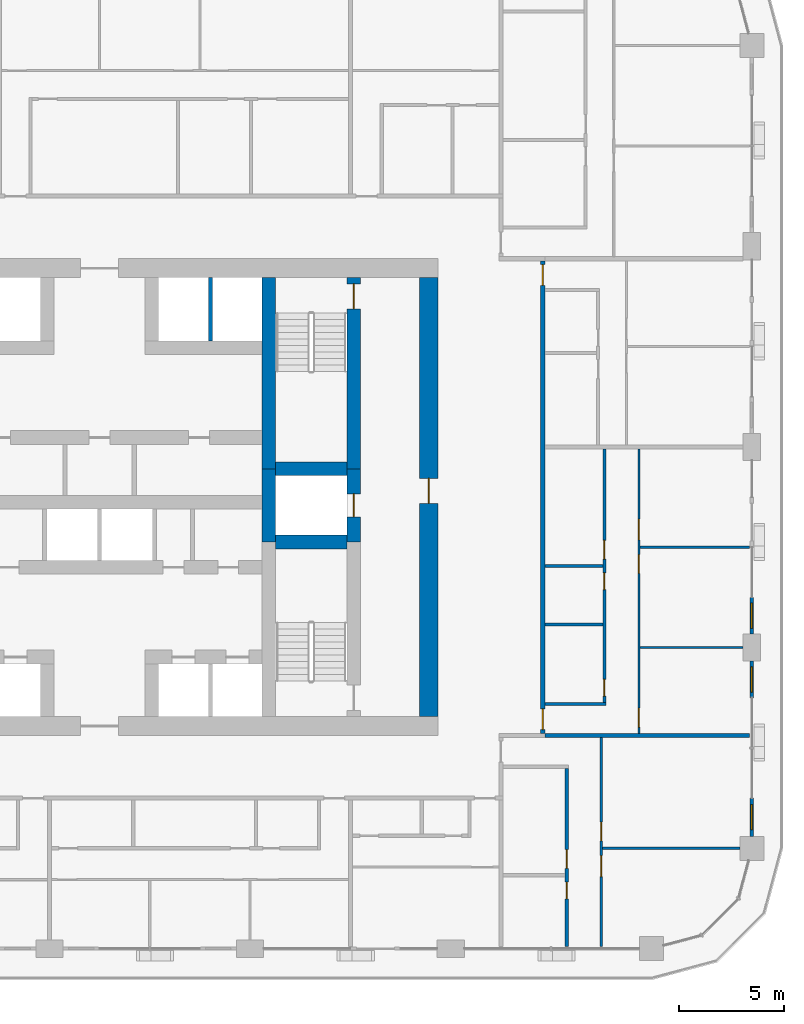
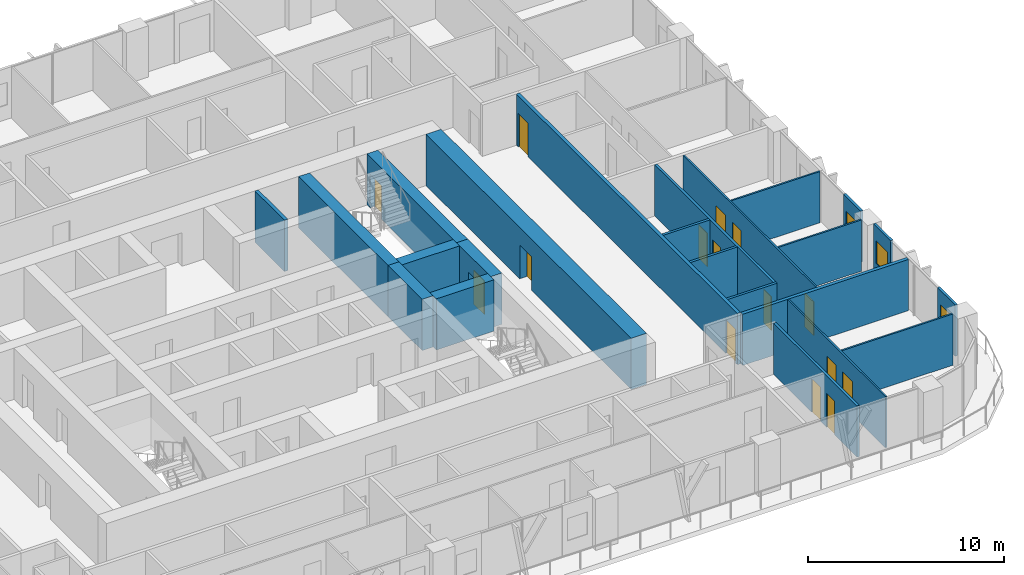
# One storey, part 12 of 21: 23 walls, 15 doors, 3 windows, 18 openings.
"""IFC4 building model written with IfcOpenShell, lengths in metres."""

import ifcopenshell
import ifcopenshell.guid

model = None  # the IFC model being written
_history = None  # IfcOwnerHistory: only IFC2X3 demands one
_inside = {}  # id of a spatial element -> (the spatial element, [elements in it])
_under = {}  # id of a project, library or spatial element -> (it, [spatial elements below it])
_declared = {}  # id of a project -> (the project, [libraries it declares])
_typed = {}  # id of a type object -> (the type object, [elements of that type])
_made_of = {}  # id of a material, layer set ... -> (it, [elements and type objects made of it])


def new_model(schema):
    """Start an empty IFC model of exactly this schema.

    Asked for "IFC4X3", IfcOpenShell would pick the latest addendum, in which some entities
    have other attributes; the version numbers below select the first issue.
    IFC2X3 requires an IfcOwnerHistory on every rooted entity: one is made here for all.
    """
    global model, _history
    if schema == "IFC4X3":
        model = ifcopenshell.file(schema_version=(4, 3, 0, 0))
    else:
        model = ifcopenshell.file(schema=schema)
    _inside.clear()
    _under.clear()
    _declared.clear()
    _typed.clear()
    _made_of.clear()
    _history = None
    if model.schema == "IFC2X3":
        org = make("IfcOrganization", Name="unknown")
        user = make(
            "IfcPersonAndOrganization",
            ThePerson=make("IfcPerson", FamilyName="unknown"),
            TheOrganization=org,
        )
        app = make(
            "IfcApplication",
            ApplicationDeveloper=org,
            Version="unknown",
            ApplicationFullName="unknown",
            ApplicationIdentifier="unknown",
        )
        _history = make(
            "IfcOwnerHistory",
            OwningUser=user,
            OwningApplication=app,
            ChangeAction="ADDED",
            CreationDate=0,
        )
    return model


def make(cls, **values):
    """One entity of the class cls with the attributes given. An attribute that is None is left unset."""
    return model.create_entity(
        cls, **{name: value for name, value in values.items() if value is not None}
    )


def rooted(cls, **values):
    """An entity with a GlobalId (a new one), such as an element, a storey or a relation."""
    return make(cls, GlobalId=ifcopenshell.guid.new(), OwnerHistory=_history, **values)


def si_unit(unit_type, name, prefix=None):
    """IfcSIUnit, for example si_unit("LENGTHUNIT", "METRE", prefix="MILLI")."""
    return make("IfcSIUnit", UnitType=unit_type, Prefix=prefix, Name=name)


def assignment(units):
    """IfcUnitAssignment: the units of a project."""
    return None if units is None else make("IfcUnitAssignment", Units=units)


def point(xyz):
    """IfcCartesianPoint."""
    return None if xyz is None else make("IfcCartesianPoint", Coordinates=xyz)


def direction(xyz):
    """IfcDirection."""
    return None if xyz is None else make("IfcDirection", DirectionRatios=xyz)


def frame(location, z_axis=None, x_axis=None):
    """IfcAxis2Placement3D, a coordinate frame: its origin and axes. An axis left out is left unset."""
    return make(
        "IfcAxis2Placement3D",
        Location=point(location),
        Axis=direction(z_axis),
        RefDirection=direction(x_axis),
    )


def frame_2d(location, x_axis=None):
    """IfcAxis2Placement2D, a coordinate frame in the plane: its origin and x axis."""
    return make(
        "IfcAxis2Placement2D", Location=point(location), RefDirection=direction(x_axis)
    )


def origin():
    """The frame at (0, 0, 0) with its axes left unset."""
    return frame((0.0, 0.0, 0.0))


def place(relative_to, where):
    """IfcLocalPlacement: puts the frame where relative to a parent placement (None: the world)."""
    return make(
        "IfcLocalPlacement", PlacementRelTo=relative_to, RelativePlacement=where
    )


def context(
    kind, dimensions, precision=None, world=None, true_north=None, identifier=None
):
    """IfcGeometricRepresentationContext, for example the 3D "Model" context."""
    return make(
        "IfcGeometricRepresentationContext",
        ContextIdentifier=identifier,
        ContextType=kind,
        CoordinateSpaceDimension=dimensions,
        Precision=precision,
        WorldCoordinateSystem=world,
        TrueNorth=true_north,
    )


def subcontext(parent, identifier, kind, view, scale=None):
    """IfcGeometricRepresentationSubContext, for example "Body" below "Model"."""
    return make(
        "IfcGeometricRepresentationSubContext",
        ContextIdentifier=identifier,
        ContextType=kind,
        ParentContext=parent,
        TargetScale=scale,
        TargetView=view,
    )


def project(units=None, contexts=None):
    """IfcProject with its units and contexts."""
    return rooted(
        "IfcProject",
        Name="project",
        RepresentationContexts=contexts,
        UnitsInContext=assignment(units),
    )


def spatial(cls, under=None, at=None, **own):
    """A site, building, storey or space (cls), placed at a placement, below another one or the project."""
    s = rooted(cls, ObjectPlacement=at, **own)
    if under is not None:
        _under.setdefault(under.id(), (under, []))[1].append(s)
    return s


def profile(cls, at=None, kind="AREA", **sizes):
    """A parametric profile (cls). Its sizes go by their IFC names, for example OverallWidth=200.0."""
    return make(cls, ProfileType=kind, Position=at, **sizes)


def rectangle(**sizes):
    """IfcRectangleProfileDef."""
    return profile("IfcRectangleProfileDef", **sizes)


def extrude(swept, where, along, depth):
    """IfcExtrudedAreaSolid: the profile swept, set in the frame where, extruded along a direction by depth."""
    return make(
        "IfcExtrudedAreaSolid",
        SweptArea=swept,
        Position=where,
        ExtrudedDirection=direction(along),
        Depth=depth,
    )


def shape(context_of_items, identifier, shape_type, items):
    """IfcShapeRepresentation: the items that make up one representation, for example the "Body"."""
    return make(
        "IfcShapeRepresentation",
        ContextOfItems=context_of_items,
        RepresentationIdentifier=identifier,
        RepresentationType=shape_type,
        Items=items,
    )


def material(Name=None, Category=None):
    """IfcMaterial."""
    return make("IfcMaterial", Name=Name, Category=Category)


def layer(
    of_material, thickness, ventilated=None, Name=None, Category=None, Priority=None
):
    """IfcMaterialLayer: one layer of a wall or slab, of a material (None: an air gap)."""
    return make(
        "IfcMaterialLayer",
        Material=of_material,
        LayerThickness=thickness,
        IsVentilated=ventilated,
        Name=Name,
        Category=Category,
        Priority=Priority,
    )


def layer_set(layers, Name=None):
    """IfcMaterialLayerSet."""
    return make("IfcMaterialLayerSet", MaterialLayers=layers, LayerSetName=Name)


def made_of(thing, what):
    """Note that an element or type object is made of a material, layer set ...; save() writes the relation."""
    if what is not None:
        _made_of.setdefault(what.id(), (what, []))[1].append(thing)
    return thing


def type_object(cls, material=None, **own):
    """A type object (cls), such as IfcWallType, which elements share."""
    return made_of(rooted(cls, **own), material)


def element(
    cls,
    number,
    at=None,
    inside=None,
    cuts=None,
    type_object=None,
    material=None,
    context=None,
    identifier="Body",
    shape_type=None,
    held_by="IfcProductDefinitionShape",
    body=None,
    shapes=None,
    **own,
):
    """One element of the class cls, such as IfcWall. Its Tag is "e" and its number.

    at: its placement. inside: the storey or other place that contains it. cuts: it is an
    opening in that element (IfcRelVoidsElement). A single representation is given by context,
    identifier, shape_type and body (its items); several are given by shapes. held_by: the class
    of the entity that holds the representations. save() writes the other relations.
    """
    e = rooted(cls, Tag="e%d" % number, ObjectPlacement=at, **own)
    if body is not None:
        shapes = [shape(context, identifier, shape_type, body)]
    if shapes is not None:
        e.Representation = make(held_by, Representations=shapes)
    if inside is not None:
        _inside.setdefault(inside.id(), (inside, []))[1].append(e)
    if cuts is not None:
        rooted(
            "IfcRelVoidsElement", RelatingBuildingElement=cuts, RelatedOpeningElement=e
        )
    if type_object is not None:
        _typed.setdefault(type_object.id(), (type_object, []))[1].append(e)
    return made_of(e, material)


def fill(opening, filler):
    """IfcRelFillsElement: the door or window that sits in an opening."""
    return rooted(
        "IfcRelFillsElement",
        RelatingOpeningElement=opening,
        RelatedBuildingElement=filler,
    )


def aggregate(whole, parts):
    """IfcRelAggregates: a whole, such as a stair, and the parts it consists of."""
    return rooted("IfcRelAggregates", RelatingObject=whole, RelatedObjects=parts)


def save(model, path):
    """Write the relations noted so far, then the file.

    IfcRelAggregates (storeys below a building ...), IfcRelContainedInSpatialStructure (elements
    in a storey), IfcRelDefinesByType, IfcRelAssociatesMaterial and IfcRelDeclares: one each for
    every whole, place, type object, material and project.
    """
    for whole, parts in _under.values():
        aggregate(whole, parts)
    for where, things in _inside.values():
        rooted(
            "IfcRelContainedInSpatialStructure",
            RelatedElements=things,
            RelatingStructure=where,
        )
    for kind, things in _typed.values():
        rooted("IfcRelDefinesByType", RelatedObjects=things, RelatingType=kind)
    for what, things in _made_of.values():
        rooted("IfcRelAssociatesMaterial", RelatedObjects=things, RelatingMaterial=what)
    for by, libraries in _declared.values():
        rooted("IfcRelDeclares", RelatingContext=by, RelatedDefinitions=libraries)
    model.write(path)


model = new_model("IFC4")

# Units and contexts
model_context = context("Model", 3, precision=1e-05, world=origin(), true_north=direction((0.0, 1.0)))
body_context = subcontext(model_context, "Body", "Model", "MODEL_VIEW")
ifc_project = project(units=[si_unit("LENGTHUNIT", "METRE"), si_unit("AREAUNIT", "SQUARE_METRE"), si_unit("VOLUMEUNIT", "CUBIC_METRE"), si_unit("PLANEANGLEUNIT", "RADIAN"), si_unit("MASSUNIT", "GRAM", prefix="KILO")], contexts=[model_context])

# Site, building, storey
site_placement = place(None, origin())
site = spatial("IfcSite", under=ifc_project, at=site_placement, CompositionType="ELEMENT")
building_placement = place(site_placement, origin())
building = spatial("IfcBuilding", under=site, at=building_placement, Name="Madar Terraces", CompositionType="ELEMENT")
storey_placement = place(building_placement, frame((0.0, 0.0, 89.199951171875)))
storey = spatial("IfcBuildingStorey", under=building, at=storey_placement, Name="L22", CompositionType="ELEMENT", Elevation=89.199951171875)

# Walls
ifc_material_1 = material(Name="Concrete C80/95", Category="concrete")
ifc_layer_1 = layer(ifc_material_1, 0.64990234375)
ifc_layer_set_1 = layer_set([ifc_layer_1], Name="Concrete C80/95 (CIW2 RC wall 650)")
wall_type_1 = type_object("IfcWallType", Name="CIW2 RC wall 650", PredefinedType="SHEAR", material=ifc_layer_set_1)
wall_1_placement = place(storey_placement, frame((39.300048828125, 24.25, 0.0), z_axis=(0.0, 0.0, 1.0), x_axis=(0.0, 1.0, 0.0)))
element("IfcWall", 1, at=wall_1_placement, inside=storey, type_object=wall_type_1, Name="CORE SHAFT WALL", PredefinedType="SHEAR", context=body_context, shape_type="SweptSolid", body=[
    extrude(rectangle(XDim=3.5, YDim=0.64990234375, at=frame_2d((1.75, 0.0))), origin(), (0.0, 0.0, 1.0), 3.199951171875),
])
wall_2_placement = place(storey_placement, frame((39.300048828125, 27.75, 0.0), z_axis=(0.0, 0.0, 1.0), x_axis=(0.0, 1.0, 0.0)))
element("IfcWall", 2, at=wall_2_placement, inside=storey, type_object=wall_type_1, Name="CORE SHAFT WALL", PredefinedType="SHEAR", context=body_context, shape_type="SweptSolid", body=[
    extrude(rectangle(XDim=9.14990234375, YDim=0.64990234375, at=frame_2d((4.574951171875, 0.0))), origin(), (0.0, 0.0, 1.0), 3.199951171875),
])

# Wall, opening, door
wall_3_placement = place(storey_placement, frame((43.35009765625, 24.25, 0.0), z_axis=(0.0, 0.0, 1.0), x_axis=(0.0, 1.0, 0.0)))
wall_3 = element("IfcWall", 3, at=wall_3_placement, inside=storey, type_object=wall_type_1, Name="CORE SHAFT WALL", PredefinedType="SHEAR", context=body_context, shape_type="SweptSolid", body=[
    extrude(rectangle(XDim=3.5, YDim=0.64990234375, at=frame_2d((1.75, 0.0))), origin(), (0.0, 0.0, 1.0), 3.199951171875),
])
opening_1_placement = place(wall_3_placement, frame((1.199951171875, 0.0, 0.0)))
opening_1 = element("IfcOpeningElement", 4, at=opening_1_placement, cuts=wall_3, Name="Opening LD", PredefinedType="OPENING", context=body_context, shape_type="SweptSolid", body=[
    extrude(rectangle(XDim=1.10009765625, YDim=2.10009765625, at=frame_2d((0.550048828125, 1.050048828125))), frame((0.0, 0.3349609375, 0.0), z_axis=(0.0, -1.0, 0.0), x_axis=(1.0, 0.0, 0.0)), (0.0, 0.0, 1.0), 0.669921875),
])
ifc_material_2 = material(Name="Stainless steel panel", Category="steel")
door_type_1 = type_object("IfcDoorType", Name="Lift landing door 1100 x 2100", OperationType="DOUBLE_DOOR_SLIDING", PredefinedType="DOOR", material=ifc_material_2)
door_1_placement = place(opening_1_placement, origin())
door_1 = element("IfcDoor", 5, at=door_1_placement, inside=storey, type_object=door_type_1, Name="LIFT LANDING DOOR", OperationType="DOUBLE_DOOR_SLIDING", OverallHeight=2.10009765625, OverallWidth=1.10009765625, PredefinedType="DOOR", context=body_context, shape_type="SweptSolid", body=[
    extrude(rectangle(XDim=1.10009765625, YDim=2.10009765625, at=frame_2d((0.550048828125, 1.050048828125))), frame((0.0, 0.02490234375, 0.0), z_axis=(0.0, -1.0, 0.0), x_axis=(1.0, 0.0, 0.0)), (0.0, 0.0, 1.0), 0.050048828125),
])
fill(opening_1, door_1)

wall_4_placement = place(storey_placement, frame((43.35009765625, 27.75, 0.0), z_axis=(0.0, 0.0, 1.0), x_axis=(0.0, 1.0, 0.0)))
wall_4 = element("IfcWall", 6, at=wall_4_placement, inside=storey, type_object=wall_type_1, Name="CORE SHAFT WALL", PredefinedType="SHEAR", context=body_context, shape_type="SweptSolid", body=[
    extrude(rectangle(XDim=9.14990234375, YDim=0.64990234375, at=frame_2d((4.574951171875, 0.0))), origin(), (0.0, 0.0, 1.0), 3.199951171875),
])
opening_2_placement = place(wall_4_placement, frame((7.64990234375, 0.0, 0.0)))
opening_2 = element("IfcOpeningElement", 7, at=opening_2_placement, cuts=wall_4, Name="Opening SD1", PredefinedType="OPENING", context=body_context, shape_type="SweptSolid", body=[
    extrude(rectangle(XDim=1.199951171875, YDim=2.10009765625, at=frame_2d((0.60009765625, 1.050048828125))), frame((0.0, 0.3349609375, 0.0), z_axis=(0.0, -1.0, 0.0), x_axis=(1.0, 0.0, 0.0)), (0.0, 0.0, 1.0), 0.669921875),
])
ifc_material_3 = material(Name="Steel door leaf", Category="steel")
door_type_2 = type_object("IfcDoorType", Name="Stair door 1200 x 2100", OperationType="NOTDEFINED", PredefinedType="DOOR", material=ifc_material_3)
door_2_placement = place(opening_2_placement, origin())
door_2 = element("IfcDoor", 8, at=door_2_placement, inside=storey, type_object=door_type_2, Name="STAIR DOOR", OperationType="SINGLE_SWING_RIGHT", OverallHeight=2.10009765625, OverallWidth=1.199951171875, PredefinedType="DOOR", context=body_context, shape_type="SweptSolid", body=[
    extrude(rectangle(XDim=1.199951171875, YDim=2.10009765625, at=frame_2d((0.60009765625, 1.050048828125))), frame((0.0, 0.02490234375, 0.0), z_axis=(0.0, -1.0, 0.0), x_axis=(1.0, 0.0, 0.0)), (0.0, 0.0, 1.0), 0.050048828125),
])
fill(opening_2, door_2)

# Walls
for number, where, z_axis, x_axis, name in (
    (9, (39.625, 24.25, 0.0), (0.0, 0.0, 1.0), (1.0, 0.0, 0.0), "CORE SHAFT WALL"),
    (10, (39.625, 27.75, 0.0), (0.0, 0.0, 1.0), (1.0, 0.0, 0.0), "CORE SHAFT WALL"),
):
    element("IfcWall", number, at=place(storey_placement, frame(where, z_axis=z_axis, x_axis=x_axis)), inside=storey, type_object=wall_type_1, Name=name, PredefinedType="SHEAR", context=body_context, shape_type="SweptSolid", body=[
        extrude(rectangle(XDim=3.39990234375, YDim=0.64990234375, at=frame_2d((1.699951171875, 0.0))), origin(), (0.0, 0.0, 1.0), 3.199951171875),
    ])

# Wall, opening, door
ifc_material_4 = material(Name="Concrete C80/95", Category="concrete")
ifc_layer_2 = layer(ifc_material_4, 0.89990234375)
ifc_layer_set_2 = layer_set([ifc_layer_2], Name="Concrete C80/95 (CRW2 RC wall 900)")
wall_type_2 = type_object("IfcWallType", Name="CRW2 RC wall 900", PredefinedType="SHEAR", material=ifc_layer_set_2)
wall_5_placement = place(storey_placement, frame((46.949951171875, 15.89990234375, 0.0), z_axis=(0.0, 0.0, 1.0), x_axis=(0.0, 1.0, 0.0)))
wall_5 = element("IfcWall", 11, at=wall_5_placement, inside=storey, type_object=wall_type_2, Name="CORE OUTER WALL", PredefinedType="SHEAR", context=body_context, shape_type="SweptSolid", body=[
    extrude(rectangle(XDim=21.0, YDim=0.89990234375, at=frame_2d((10.5, 0.0))), origin(), (0.0, 0.0, 1.0), 3.199951171875),
])
opening_3_placement = place(wall_5_placement, frame((10.199951171875, 0.0, 0.0)))
opening_3 = element("IfcOpeningElement", 12, at=opening_3_placement, cuts=wall_5, Name="Opening SD1", PredefinedType="OPENING", context=body_context, shape_type="SweptSolid", body=[
    extrude(rectangle(XDim=1.199951171875, YDim=2.10009765625, at=frame_2d((0.60009765625, 1.050048828125))), frame((0.0, 0.4599609375, 0.0), z_axis=(0.0, -1.0, 0.0), x_axis=(1.0, 0.0, 0.0)), (0.0, 0.0, 1.0), 0.919921875),
])
door_3_placement = place(opening_3_placement, origin())
door_3 = element("IfcDoor", 13, at=door_3_placement, inside=storey, type_object=door_type_2, Name="STAIR DOOR", OperationType="SINGLE_SWING_RIGHT", OverallHeight=2.10009765625, OverallWidth=1.199951171875, PredefinedType="DOOR", context=body_context, shape_type="SweptSolid", body=[
    extrude(rectangle(XDim=1.199951171875, YDim=2.10009765625, at=frame_2d((0.60009765625, 1.050048828125))), frame((0.0, 0.02490234375, 0.0), z_axis=(0.0, -1.0, 0.0), x_axis=(1.0, 0.0, 0.0)), (0.0, 0.0, 1.0), 0.050048828125),
])
fill(opening_3, door_3)

# Wall
ifc_material_5 = material(Name="Concrete C40/50", Category="concrete")
ifc_layer_3 = layer(ifc_material_5, 0.199951171875)
ifc_layer_set_3 = layer_set([ifc_layer_3], Name="Core shaft dividing wall 200 C40/50")
wall_type_3 = type_object("IfcWallType", Name="Core shaft dividing wall 200 C40/50", PredefinedType="SOLIDWALL", material=ifc_layer_set_3)
wall_6_placement = place(storey_placement, frame((36.5, 33.875, 0.0), z_axis=(0.0, 0.0, 1.0), x_axis=(0.0, 1.0, 0.0)))
element("IfcWall", 14, at=wall_6_placement, inside=storey, type_object=wall_type_3, Name="SHAFT DIVIDING WALL", PredefinedType="SOLIDWALL", context=body_context, shape_type="SweptSolid", body=[
    extrude(rectangle(XDim=3.02490234375, YDim=0.199951171875, at=frame_2d((1.512451171875, 0.0))), origin(), (0.0, 0.0, 1.0), 3.199951171875),
])

# Wall, opening, window
ifc_material_6 = material(Name="Aluminium composite panel, black, over insulated backing", Category="aluminium")
ifc_layer_4 = layer(ifc_material_6, 0.14990234375)
ifc_layer_set_4 = layer_set([ifc_layer_4], Name="Facade bay panel 150")
wall_type_4 = type_object("IfcWallType", Name="Facade bay panel 150", PredefinedType="SOLIDWALL", material=ifc_layer_set_4)
wall_7_placement = place(storey_placement, frame((62.39990234375, 10.175048828125, 0.0), z_axis=(0.0, 0.0, 1.0), x_axis=(0.0, 1.0, 0.0)))
wall_7 = element("IfcWall", 15, at=wall_7_placement, inside=storey, type_object=wall_type_4, Name="Facade bay panel", PredefinedType="SOLIDWALL", context=body_context, shape_type="SweptSolid", body=[
    extrude(rectangle(XDim=1.824951171875, YDim=0.14990234375, at=frame_2d((0.91259765625, 0.0))), origin(), (0.0, 0.0, 1.0), 3.199951171875),
])
opening_4_placement = place(wall_7_placement, frame((0.3125, 0.0, 0.89990234375)))
opening_4 = element("IfcOpeningElement", 16, at=opening_4_placement, cuts=wall_7, Name="Opening W1", PredefinedType="OPENING", context=body_context, shape_type="SweptSolid", body=[
    extrude(rectangle(XDim=1.199951171875, YDim=1.39990234375, at=frame_2d((0.60009765625, 0.699951171875))), frame((0.0, 0.0849609375, 0.0), z_axis=(0.0, -1.0, 0.0), x_axis=(1.0, 0.0, 0.0)), (0.0, 0.0, 1.0), 0.169921875),
])
ifc_material_7 = material(Name="Glass, clear, with black aluminium frame", Category="aluminium")
window_type = type_object("IfcWindowType", Name="Vent window 1200 x 1400", PartitioningType="SINGLE_PANEL", PredefinedType="WINDOW", material=ifc_material_7)
window_1_placement = place(opening_4_placement, origin())
window_1 = element("IfcWindow", 17, at=window_1_placement, inside=storey, type_object=window_type, Name="Operable vent window", OverallHeight=1.39990234375, OverallWidth=1.199951171875, PartitioningType="SINGLE_PANEL", PredefinedType="WINDOW", context=body_context, shape_type="SweptSolid", body=[
    extrude(rectangle(XDim=1.199951171875, YDim=1.39990234375, at=frame_2d((0.60009765625, 0.699951171875))), frame((0.0, 0.030029296875, 0.0), z_axis=(0.0, -1.0, 0.0), x_axis=(1.0, 0.0, 0.0)), (0.0, 0.0, 1.0), 0.06005859375),
])
fill(opening_4, window_1)

wall_8_placement = place(storey_placement, frame((62.39990234375, 16.800048828125, 0.0), z_axis=(0.0, 0.0, 1.0), x_axis=(0.0, 1.0, 0.0)))
wall_8 = element("IfcWall", 18, at=wall_8_placement, inside=storey, type_object=wall_type_4, Name="Facade bay panel", PredefinedType="SOLIDWALL", context=body_context, shape_type="SweptSolid", body=[
    extrude(rectangle(XDim=1.75, YDim=0.14990234375, at=frame_2d((0.875, 0.0))), origin(), (0.0, 0.0, 1.0), 3.199951171875),
])
opening_5_placement = place(wall_8_placement, frame((0.27490234375, 0.0, 0.89990234375)))
opening_5 = element("IfcOpeningElement", 19, at=opening_5_placement, cuts=wall_8, Name="Opening W1", PredefinedType="OPENING", context=body_context, shape_type="SweptSolid", body=[
    extrude(rectangle(XDim=1.199951171875, YDim=1.39990234375, at=frame_2d((0.60009765625, 0.699951171875))), frame((0.0, 0.0849609375, 0.0), z_axis=(0.0, -1.0, 0.0), x_axis=(1.0, 0.0, 0.0)), (0.0, 0.0, 1.0), 0.169921875),
])
window_2_placement = place(opening_5_placement, origin())
window_2 = element("IfcWindow", 20, at=window_2_placement, inside=storey, type_object=window_type, Name="Operable vent window", OverallHeight=1.39990234375, OverallWidth=1.199951171875, PartitioningType="SINGLE_PANEL", PredefinedType="WINDOW", context=body_context, shape_type="SweptSolid", body=[
    extrude(rectangle(XDim=1.199951171875, YDim=1.39990234375, at=frame_2d((0.60009765625, 0.699951171875))), frame((0.0, 0.030029296875, 0.0), z_axis=(0.0, -1.0, 0.0), x_axis=(1.0, 0.0, 0.0)), (0.0, 0.0, 1.0), 0.06005859375),
])
fill(opening_5, window_2)

wall_9_placement = place(storey_placement, frame((62.39990234375, 19.85009765625, 0.0), z_axis=(0.0, 0.0, 1.0), x_axis=(0.0, 1.0, 0.0)))
wall_9 = element("IfcWall", 21, at=wall_9_placement, inside=storey, type_object=wall_type_4, Name="Facade bay panel", PredefinedType="SOLIDWALL", context=body_context, shape_type="SweptSolid", body=[
    extrude(rectangle(XDim=1.75, YDim=0.14990234375, at=frame_2d((0.875, 0.0))), origin(), (0.0, 0.0, 1.0), 3.199951171875),
])
opening_6_placement = place(wall_9_placement, frame((0.27490234375, 0.0, 0.89990234375)))
opening_6 = element("IfcOpeningElement", 22, at=opening_6_placement, cuts=wall_9, Name="Opening W1", PredefinedType="OPENING", context=body_context, shape_type="SweptSolid", body=[
    extrude(rectangle(XDim=1.199951171875, YDim=1.39990234375, at=frame_2d((0.60009765625, 0.699951171875))), frame((0.0, 0.0849609375, 0.0), z_axis=(0.0, -1.0, 0.0), x_axis=(1.0, 0.0, 0.0)), (0.0, 0.0, 1.0), 0.169921875),
])
window_3_placement = place(opening_6_placement, origin())
window_3 = element("IfcWindow", 23, at=window_3_placement, inside=storey, type_object=window_type, Name="Operable vent window", OverallHeight=1.39990234375, OverallWidth=1.199951171875, PartitioningType="SINGLE_PANEL", PredefinedType="WINDOW", context=body_context, shape_type="SweptSolid", body=[
    extrude(rectangle(XDim=1.199951171875, YDim=1.39990234375, at=frame_2d((0.60009765625, 0.699951171875))), frame((0.0, 0.030029296875, 0.0), z_axis=(0.0, -1.0, 0.0), x_axis=(1.0, 0.0, 0.0)), (0.0, 0.0, 1.0), 0.06005859375),
])
fill(opening_6, window_3)

# Wall
ifc_material_8 = material(Name="Gypsum board on steel studs", Category="steel")
ifc_layer_5 = layer(ifc_material_8, 0.10009765625)
ifc_layer_set_5 = layer_set([ifc_layer_5], Name="Flat partition 100")
wall_type_5 = type_object("IfcWallType", Name="Flat partition 100", PredefinedType="PARTITIONING", material=ifc_layer_set_5)
wall_10_placement = place(storey_placement, frame((55.25, 9.60009765625, 0.0), z_axis=(0.0, 0.0, 1.0), x_axis=(1.0, 0.0, 0.0)))
element("IfcWall", 24, at=wall_10_placement, inside=storey, type_object=wall_type_5, Name="Flat partition 100", PredefinedType="PARTITIONING", context=body_context, shape_type="SweptSolid", body=[
    extrude(rectangle(XDim=6.574951171875, YDim=0.10009765625, at=frame_2d((3.28759765625, 0.0))), origin(), (0.0, 0.0, 1.0), 3.199951171875),
])

# Wall, openings, doors
wall_11_placement = place(storey_placement, frame((55.199951171875, 14.89990234375, 0.0), z_axis=(0.0, 0.0, 1.0), x_axis=(0.0, -1.0, 0.0)))
wall_11 = element("IfcWall", 25, at=wall_11_placement, inside=storey, type_object=wall_type_5, Name="Flat partition 100", PredefinedType="PARTITIONING", context=body_context, shape_type="SweptSolid", body=[
    extrude(rectangle(XDim=10.0, YDim=0.10009765625, at=frame_2d((5.0, 0.0))), origin(), (0.0, 0.0, 1.0), 3.199951171875),
])
opening_7_placement = place(wall_11_placement, frame((4.050048828125, 0.0, 0.0)))
opening_7 = element("IfcOpeningElement", 26, at=opening_7_placement, cuts=wall_11, Name="Opening D2", PredefinedType="OPENING", context=body_context, shape_type="SweptSolid", body=[
    extrude(rectangle(XDim=0.89990234375, YDim=2.10009765625, at=frame_2d((0.449951171875, 1.050048828125))), frame((0.0, 0.06005859375, 0.0), z_axis=(0.0, -1.0, 0.0), x_axis=(1.0, 0.0, 0.0)), (0.0, 0.0, 1.0), 0.1201171875),
])
opening_8_placement = place(wall_11_placement, frame((5.64990234375, 0.0, 0.0)))
opening_8 = element("IfcOpeningElement", 27, at=opening_8_placement, cuts=wall_11, Name="Opening D3", PredefinedType="OPENING", context=body_context, shape_type="SweptSolid", body=[
    extrude(rectangle(XDim=1.0, YDim=2.10009765625, at=frame_2d((0.5, 1.050048828125))), frame((0.0, 0.06005859375, 0.0), z_axis=(0.0, -1.0, 0.0), x_axis=(1.0, 0.0, 0.0)), (0.0, 0.0, 1.0), 0.1201171875),
])
ifc_material_9 = material(Name="Timber door leaf", Category="wood")
door_type_3 = type_object("IfcDoorType", Name="Flat living room door 1000", OperationType="NOTDEFINED", PredefinedType="DOOR", material=ifc_material_9)
door_4_placement = place(opening_8_placement, origin())
door_4 = element("IfcDoor", 28, at=door_4_placement, inside=storey, type_object=door_type_3, Name="Flat living room door 1000", OperationType="SINGLE_SWING_LEFT", OverallHeight=2.10009765625, OverallWidth=1.0, PredefinedType="DOOR", context=body_context, shape_type="SweptSolid", body=[
    extrude(rectangle(XDim=1.0, YDim=2.10009765625, at=frame_2d((0.5, 1.050048828125))), frame((0.0, 0.02490234375, 0.0), z_axis=(0.0, -1.0, 0.0), x_axis=(1.0, 0.0, 0.0)), (0.0, 0.0, 1.0), 0.050048828125),
])
fill(opening_8, door_4)
ifc_material_10 = material(Name="Timber door leaf", Category="wood")
door_type_4 = type_object("IfcDoorType", Name="Flat room door 900", OperationType="NOTDEFINED", PredefinedType="DOOR", material=ifc_material_10)
door_5_placement = place(opening_7_placement, origin())
door_5 = element("IfcDoor", 29, at=door_5_placement, inside=storey, type_object=door_type_4, Name="Flat room door 900", OperationType="SINGLE_SWING_RIGHT", OverallHeight=2.10009765625, OverallWidth=0.89990234375, PredefinedType="DOOR", context=body_context, shape_type="SweptSolid", body=[
    extrude(rectangle(XDim=0.89990234375, YDim=2.10009765625, at=frame_2d((0.449951171875, 1.050048828125))), frame((0.0, 0.02490234375, 0.0), z_axis=(0.0, -1.0, 0.0), x_axis=(1.0, 0.0, 0.0)), (0.0, 0.0, 1.0), 0.050048828125),
])
fill(opening_7, door_5)

# Walls
wall_12_placement = place(storey_placement, frame((57.050048828125, 19.199951171875, 0.0), z_axis=(0.0, 0.0, 1.0), x_axis=(1.0, 0.0, 0.0)))
element("IfcWall", 30, at=wall_12_placement, inside=storey, type_object=wall_type_5, Name="Flat partition 100", PredefinedType="PARTITIONING", context=body_context, shape_type="SweptSolid", body=[
    extrude(rectangle(XDim=4.925048828125, YDim=0.10009765625, at=frame_2d((2.46240234375, 0.0))), origin(), (0.0, 0.0, 1.0), 3.199951171875),
])
wall_13_placement = place(storey_placement, frame((57.050048828125, 24.0, 0.0), z_axis=(0.0, 0.0, 1.0), x_axis=(1.0, 0.0, 0.0)))
element("IfcWall", 31, at=wall_13_placement, inside=storey, type_object=wall_type_5, Name="Flat partition 100", PredefinedType="PARTITIONING", context=body_context, shape_type="SweptSolid", body=[
    extrude(rectangle(XDim=5.25, YDim=0.10009765625, at=frame_2d((2.625, 0.0))), origin(), (0.0, 0.0, 1.0), 3.199951171875),
])

# Wall, openings, doors
wall_14_placement = place(storey_placement, frame((57.0, 28.699951171875, 0.0), z_axis=(0.0, 0.0, 1.0), x_axis=(0.0, -1.0, 0.0)))
wall_14 = element("IfcWall", 32, at=wall_14_placement, inside=storey, type_object=wall_type_5, Name="Flat partition 100", PredefinedType="PARTITIONING", context=body_context, shape_type="SweptSolid", body=[
    extrude(rectangle(XDim=13.599853515625, YDim=0.10009765625, at=frame_2d((6.7998046875, 0.0))), origin(), (0.0, 0.0, 1.0), 3.199951171875),
])
opening_9_placement = place(wall_14_placement, frame((12.39990234375, 0.0, 0.0)))
opening_9 = element("IfcOpeningElement", 33, at=opening_9_placement, cuts=wall_14, Name="Opening D2", PredefinedType="OPENING", context=body_context, shape_type="SweptSolid", body=[
    extrude(rectangle(XDim=0.89990234375, YDim=2.10009765625, at=frame_2d((0.449951171875, 1.050048828125))), frame((0.0, 0.06005859375, 0.0), z_axis=(0.0, -1.0, 0.0), x_axis=(1.0, 0.0, 0.0)), (0.0, 0.0, 1.0), 0.1201171875),
])
opening_10_placement = place(wall_14_placement, frame((5.050048828125, 0.0, 0.0)))
opening_10 = element("IfcOpeningElement", 34, at=opening_10_placement, cuts=wall_14, Name="Opening D2", PredefinedType="OPENING", context=body_context, shape_type="SweptSolid", body=[
    extrude(rectangle(XDim=0.89990234375, YDim=2.10009765625, at=frame_2d((0.449951171875, 1.050048828125))), frame((0.0, 0.06005859375, 0.0), z_axis=(0.0, -1.0, 0.0), x_axis=(1.0, 0.0, 0.0)), (0.0, 0.0, 1.0), 0.1201171875),
])
opening_11_placement = place(wall_14_placement, frame((3.35009765625, 0.0, 0.0)))
opening_11 = element("IfcOpeningElement", 35, at=opening_11_placement, cuts=wall_14, Name="Opening D3", PredefinedType="OPENING", context=body_context, shape_type="SweptSolid", body=[
    extrude(rectangle(XDim=1.0, YDim=2.10009765625, at=frame_2d((0.5, 1.050048828125))), frame((0.0, 0.06005859375, 0.0), z_axis=(0.0, -1.0, 0.0), x_axis=(1.0, 0.0, 0.0)), (0.0, 0.0, 1.0), 0.1201171875),
])
door_6_placement = place(opening_11_placement, origin())
door_6 = element("IfcDoor", 36, at=door_6_placement, inside=storey, type_object=door_type_3, Name="Flat living room door 1000", OperationType="SINGLE_SWING_RIGHT", OverallHeight=2.10009765625, OverallWidth=1.0, PredefinedType="DOOR", context=body_context, shape_type="SweptSolid", body=[
    extrude(rectangle(XDim=1.0, YDim=2.10009765625, at=frame_2d((0.5, 1.050048828125))), frame((0.0, 0.02490234375, 0.0), z_axis=(0.0, -1.0, 0.0), x_axis=(1.0, 0.0, 0.0)), (0.0, 0.0, 1.0), 0.050048828125),
])
fill(opening_11, door_6)
door_7_placement = place(opening_9_placement, origin())
door_7 = element("IfcDoor", 37, at=door_7_placement, inside=storey, type_object=door_type_4, Name="Flat room door 900", OperationType="SINGLE_SWING_RIGHT", OverallHeight=2.10009765625, OverallWidth=0.89990234375, PredefinedType="DOOR", context=body_context, shape_type="SweptSolid", body=[
    extrude(rectangle(XDim=0.89990234375, YDim=2.10009765625, at=frame_2d((0.449951171875, 1.050048828125))), frame((0.0, 0.02490234375, 0.0), z_axis=(0.0, -1.0, 0.0), x_axis=(1.0, 0.0, 0.0)), (0.0, 0.0, 1.0), 0.050048828125),
])
fill(opening_9, door_7)
door_8_placement = place(opening_10_placement, origin())
door_8 = element("IfcDoor", 38, at=door_8_placement, inside=storey, type_object=door_type_4, Name="Flat room door 900", OperationType="SINGLE_SWING_LEFT", OverallHeight=2.10009765625, OverallWidth=0.89990234375, PredefinedType="DOOR", context=body_context, shape_type="SweptSolid", body=[
    extrude(rectangle(XDim=0.89990234375, YDim=2.10009765625, at=frame_2d((0.449951171875, 1.050048828125))), frame((0.0, 0.02490234375, 0.0), z_axis=(0.0, -1.0, 0.0), x_axis=(1.0, 0.0, 0.0)), (0.0, 0.0, 1.0), 0.050048828125),
])
fill(opening_10, door_8)

ifc_material_11 = material(Name="Lightweight blockwork", Category="masonry")
ifc_layer_6 = layer(ifc_material_11, 0.199951171875)
ifc_layer_set_6 = layer_set([ifc_layer_6], Name="Flat party and entrance wall 200")
wall_type_6 = type_object("IfcWallType", Name="Flat party and entrance wall 200", PredefinedType="PARTITIONING", material=ifc_layer_set_6)
wall_15_placement = place(storey_placement, frame((52.39990234375, 37.699951171875, 0.0), z_axis=(0.0, 0.0, 1.0), x_axis=(0.0, -1.0, 0.0)))
wall_15 = element("IfcWall", 39, at=wall_15_placement, inside=storey, type_object=wall_type_6, Name="Flat party and entrance wall 200", PredefinedType="PARTITIONING", context=body_context, shape_type="SweptSolid", body=[
    extrude(rectangle(XDim=22.599853515625, YDim=0.199951171875, at=frame_2d((11.2998046875, 0.0))), origin(), (0.0, 0.0, 1.0), 3.199951171875),
])
opening_12_placement = place(wall_15_placement, frame((21.425048828125, 0.0, 0.0)))
opening_12 = element("IfcOpeningElement", 40, at=opening_12_placement, cuts=wall_15, Name="Opening D1", PredefinedType="OPENING", context=body_context, shape_type="SweptSolid", body=[
    extrude(rectangle(XDim=1.0, YDim=2.10009765625, at=frame_2d((0.5, 1.050048828125))), frame((0.0, 0.10986328125, 0.0), z_axis=(0.0, -1.0, 0.0), x_axis=(1.0, 0.0, 0.0)), (0.0, 0.0, 1.0), 0.219970703125),
])
opening_13_placement = place(wall_15_placement, frame((0.175048828125, 0.0, 0.0)))
opening_13 = element("IfcOpeningElement", 41, at=opening_13_placement, cuts=wall_15, Name="Opening D1", PredefinedType="OPENING", context=body_context, shape_type="SweptSolid", body=[
    extrude(rectangle(XDim=1.0, YDim=2.10009765625, at=frame_2d((0.5, 1.050048828125))), frame((0.0, 0.10986328125, 0.0), z_axis=(0.0, -1.0, 0.0), x_axis=(1.0, 0.0, 0.0)), (0.0, 0.0, 1.0), 0.219970703125),
])
ifc_material_12 = material(Name="Timber fire door leaf", Category="wood")
door_type_5 = type_object("IfcDoorType", Name="Flat entrance door 1000 FD30S", OperationType="NOTDEFINED", PredefinedType="DOOR", material=ifc_material_12)
door_9_placement = place(opening_12_placement, origin())
door_9 = element("IfcDoor", 42, at=door_9_placement, inside=storey, type_object=door_type_5, Name="Flat entrance door 1000 FD30S", OperationType="SINGLE_SWING_RIGHT", OverallHeight=2.10009765625, OverallWidth=1.0, PredefinedType="DOOR", context=body_context, shape_type="SweptSolid", body=[
    extrude(rectangle(XDim=1.0, YDim=2.10009765625, at=frame_2d((0.5, 1.050048828125))), frame((0.0, 0.02490234375, 0.0), z_axis=(0.0, -1.0, 0.0), x_axis=(1.0, 0.0, 0.0)), (0.0, 0.0, 1.0), 0.050048828125),
])
fill(opening_12, door_9)
door_10_placement = place(opening_13_placement, origin())
door_10 = element("IfcDoor", 43, at=door_10_placement, inside=storey, type_object=door_type_5, Name="Flat entrance door 1000 FD30S", OperationType="SINGLE_SWING_LEFT", OverallHeight=2.10009765625, OverallWidth=1.0, PredefinedType="DOOR", context=body_context, shape_type="SweptSolid", body=[
    extrude(rectangle(XDim=1.0, YDim=2.10009765625, at=frame_2d((0.5, 1.050048828125))), frame((0.0, 0.02490234375, 0.0), z_axis=(0.0, -1.0, 0.0), x_axis=(1.0, 0.0, 0.0)), (0.0, 0.0, 1.0), 0.050048828125),
])
fill(opening_13, door_10)

# Wall
wall_16_placement = place(storey_placement, frame((52.5, 15.0, 0.0), z_axis=(0.0, 0.0, 1.0), x_axis=(1.0, 0.0, 0.0)))
element("IfcWall", 44, at=wall_16_placement, inside=storey, type_object=wall_type_6, Name="Flat party and entrance wall 200", PredefinedType="PARTITIONING", context=body_context, shape_type="SweptSolid", body=[
    extrude(rectangle(XDim=9.800048828125, YDim=0.199951171875, at=frame_2d((4.89990234375, 0.0))), origin(), (0.0, 0.0, 1.0), 3.199951171875),
])

# Wall, openings, doors
ifc_material_13 = material(Name="Lightweight blockwork", Category="masonry")
ifc_layer_7 = layer(ifc_material_13, 0.14990234375)
ifc_layer_set_7 = layer_set([ifc_layer_7], Name="Flat wet-room partition 150")
wall_type_7 = type_object("IfcWallType", Name="Flat wet-room partition 150", PredefinedType="PARTITIONING", material=ifc_layer_set_7)
wall_17_placement = place(storey_placement, frame((53.550048828125, 4.89990234375, 0.0), z_axis=(0.0, 0.0, 1.0), x_axis=(0.0, 1.0, 0.0)))
wall_17 = element("IfcWall", 45, at=wall_17_placement, inside=storey, type_object=wall_type_7, Name="Flat wet-room partition 150", PredefinedType="PARTITIONING", context=body_context, shape_type="SweptSolid", body=[
    extrude(rectangle(XDim=8.525146484375, YDim=0.14990234375, at=frame_2d((4.2626953125, 0.0))), origin(), (0.0, 0.0, 1.0), 3.199951171875),
])
opening_14_placement = place(wall_17_placement, frame((3.735107421875, 0.0, 0.0)))
opening_14 = element("IfcOpeningElement", 46, at=opening_14_placement, cuts=wall_17, Name="Opening D2", PredefinedType="OPENING", context=body_context, shape_type="SweptSolid", body=[
    extrude(rectangle(XDim=0.89990234375, YDim=2.10009765625, at=frame_2d((0.449951171875, 1.050048828125))), frame((0.0, 0.0849609375, 0.0), z_axis=(0.0, -1.0, 0.0), x_axis=(1.0, 0.0, 0.0)), (0.0, 0.0, 1.0), 0.169921875),
])
opening_15_placement = place(wall_17_placement, frame((2.284912109375, 0.0, 0.0)))
opening_15 = element("IfcOpeningElement", 47, at=opening_15_placement, cuts=wall_17, Name="Opening D4", PredefinedType="OPENING", context=body_context, shape_type="SweptSolid", body=[
    extrude(rectangle(XDim=0.800048828125, YDim=2.10009765625, at=frame_2d((0.39990234375, 1.050048828125))), frame((0.0, 0.0849609375, 0.0), z_axis=(0.0, -1.0, 0.0), x_axis=(1.0, 0.0, 0.0)), (0.0, 0.0, 1.0), 0.169921875),
])
ifc_material_14 = material(Name="Timber door leaf", Category="wood")
door_type_6 = type_object("IfcDoorType", Name="Flat bathroom door 800", OperationType="NOTDEFINED", PredefinedType="DOOR", material=ifc_material_14)
door_11_placement = place(opening_15_placement, origin())
door_11 = element("IfcDoor", 48, at=door_11_placement, inside=storey, type_object=door_type_6, Name="Flat bathroom door 800", OperationType="SINGLE_SWING_RIGHT", OverallHeight=2.10009765625, OverallWidth=0.800048828125, PredefinedType="DOOR", context=body_context, shape_type="SweptSolid", body=[
    extrude(rectangle(XDim=0.800048828125, YDim=2.10009765625, at=frame_2d((0.39990234375, 1.050048828125))), frame((0.0, 0.02490234375, 0.0), z_axis=(0.0, -1.0, 0.0), x_axis=(1.0, 0.0, 0.0)), (0.0, 0.0, 1.0), 0.050048828125),
])
fill(opening_15, door_11)
door_12_placement = place(opening_14_placement, origin())
door_12 = element("IfcDoor", 49, at=door_12_placement, inside=storey, type_object=door_type_4, Name="Flat room door 900", OperationType="SINGLE_SWING_LEFT", OverallHeight=2.10009765625, OverallWidth=0.89990234375, PredefinedType="DOOR", context=body_context, shape_type="SweptSolid", body=[
    extrude(rectangle(XDim=0.89990234375, YDim=2.10009765625, at=frame_2d((0.449951171875, 1.050048828125))), frame((0.0, 0.02490234375, 0.0), z_axis=(0.0, -1.0, 0.0), x_axis=(1.0, 0.0, 0.0)), (0.0, 0.0, 1.0), 0.050048828125),
])
fill(opening_14, door_12)

# Walls
for number, where, z_axis, x_axis, name in (
    (50, (52.5, 20.305908203125, 0.0), (0.0, 0.0, 1.0), (1.0, 0.0, 0.0), "Flat wet-room partition 150"),
    (51, (52.5, 23.10400390625, 0.0), (0.0, 0.0, 1.0), (1.0, 0.0, 0.0), "Flat wet-room partition 150"),
):
    element("IfcWall", number, at=place(storey_placement, frame(where, z_axis=z_axis, x_axis=x_axis)), inside=storey, type_object=wall_type_7, Name=name, PredefinedType="PARTITIONING", context=body_context, shape_type="SweptSolid", body=[
        extrude(rectangle(XDim=2.77490234375, YDim=0.14990234375, at=frame_2d((1.387451171875, 0.0))), origin(), (0.0, 0.0, 1.0), 3.199951171875),
    ])
wall_18_placement = place(storey_placement, frame((52.5, 16.5, 0.0), z_axis=(0.0, 0.0, 1.0), x_axis=(1.0, 0.0, 0.0)))
element("IfcWall", 52, at=wall_18_placement, inside=storey, type_object=wall_type_7, Name="Flat wet-room partition 150", PredefinedType="PARTITIONING", context=body_context, shape_type="SweptSolid", body=[
    extrude(rectangle(XDim=2.925048828125, YDim=0.14990234375, at=frame_2d((1.46240234375, 0.0))), origin(), (0.0, 0.0, 1.0), 3.199951171875),
])

# Wall, openings, doors
wall_19_placement = place(storey_placement, frame((55.35009765625, 16.574951171875, 0.0), z_axis=(0.0, 0.0, 1.0), x_axis=(0.0, 1.0, 0.0)))
wall_19 = element("IfcWall", 53, at=wall_19_placement, inside=storey, type_object=wall_type_7, Name="Flat wet-room partition 150", PredefinedType="PARTITIONING", context=body_context, shape_type="SweptSolid", body=[
    extrude(rectangle(XDim=12.125, YDim=0.14990234375, at=frame_2d((6.0625, 0.0))), origin(), (0.0, 0.0, 1.0), 3.199951171875),
])
opening_16_placement = place(wall_19_placement, frame((0.300048828125, 0.0, 0.0)))
opening_16 = element("IfcOpeningElement", 54, at=opening_16_placement, cuts=wall_19, Name="Opening D4", PredefinedType="OPENING", context=body_context, shape_type="SweptSolid", body=[
    extrude(rectangle(XDim=0.800048828125, YDim=2.10009765625, at=frame_2d((0.39990234375, 1.050048828125))), frame((0.0, 0.0849609375, 0.0), z_axis=(0.0, -1.0, 0.0), x_axis=(1.0, 0.0, 0.0)), (0.0, 0.0, 1.0), 0.169921875),
])
opening_17_placement = place(wall_19_placement, frame((5.40380859375, 0.0, 0.0)))
opening_17 = element("IfcOpeningElement", 55, at=opening_17_placement, cuts=wall_19, Name="Opening D4", PredefinedType="OPENING", context=body_context, shape_type="SweptSolid", body=[
    extrude(rectangle(XDim=0.800048828125, YDim=2.10009765625, at=frame_2d((0.39990234375, 1.050048828125))), frame((0.0, 0.0849609375, 0.0), z_axis=(0.0, -1.0, 0.0), x_axis=(1.0, 0.0, 0.0)), (0.0, 0.0, 1.0), 0.169921875),
])
opening_18_placement = place(wall_19_placement, frame((6.85400390625, 0.0, 0.0)))
opening_18 = element("IfcOpeningElement", 56, at=opening_18_placement, cuts=wall_19, Name="Opening D2", PredefinedType="OPENING", context=body_context, shape_type="SweptSolid", body=[
    extrude(rectangle(XDim=0.89990234375, YDim=2.10009765625, at=frame_2d((0.449951171875, 1.050048828125))), frame((0.0, 0.0849609375, 0.0), z_axis=(0.0, -1.0, 0.0), x_axis=(1.0, 0.0, 0.0)), (0.0, 0.0, 1.0), 0.169921875),
])
door_13_placement = place(opening_16_placement, origin())
door_13 = element("IfcDoor", 57, at=door_13_placement, inside=storey, type_object=door_type_6, Name="Flat bathroom door 800", OperationType="SINGLE_SWING_LEFT", OverallHeight=2.10009765625, OverallWidth=0.800048828125, PredefinedType="DOOR", context=body_context, shape_type="SweptSolid", body=[
    extrude(rectangle(XDim=0.800048828125, YDim=2.10009765625, at=frame_2d((0.39990234375, 1.050048828125))), frame((0.0, 0.02490234375, 0.0), z_axis=(0.0, -1.0, 0.0), x_axis=(1.0, 0.0, 0.0)), (0.0, 0.0, 1.0), 0.050048828125),
])
fill(opening_16, door_13)
door_14_placement = place(opening_17_placement, origin())
door_14 = element("IfcDoor", 58, at=door_14_placement, inside=storey, type_object=door_type_6, Name="Flat bathroom door 800", OperationType="SINGLE_SWING_RIGHT", OverallHeight=2.10009765625, OverallWidth=0.800048828125, PredefinedType="DOOR", context=body_context, shape_type="SweptSolid", body=[
    extrude(rectangle(XDim=0.800048828125, YDim=2.10009765625, at=frame_2d((0.39990234375, 1.050048828125))), frame((0.0, 0.02490234375, 0.0), z_axis=(0.0, -1.0, 0.0), x_axis=(1.0, 0.0, 0.0)), (0.0, 0.0, 1.0), 0.050048828125),
])
fill(opening_17, door_14)
door_15_placement = place(opening_18_placement, origin())
door_15 = element("IfcDoor", 59, at=door_15_placement, inside=storey, type_object=door_type_4, Name="Flat room door 900", OperationType="SINGLE_SWING_LEFT", OverallHeight=2.10009765625, OverallWidth=0.89990234375, PredefinedType="DOOR", context=body_context, shape_type="SweptSolid", body=[
    extrude(rectangle(XDim=0.89990234375, YDim=2.10009765625, at=frame_2d((0.449951171875, 1.050048828125))), frame((0.0, 0.02490234375, 0.0), z_axis=(0.0, -1.0, 0.0), x_axis=(1.0, 0.0, 0.0)), (0.0, 0.0, 1.0), 0.050048828125),
])
fill(opening_18, door_15)

save(model, "model.ifc")
